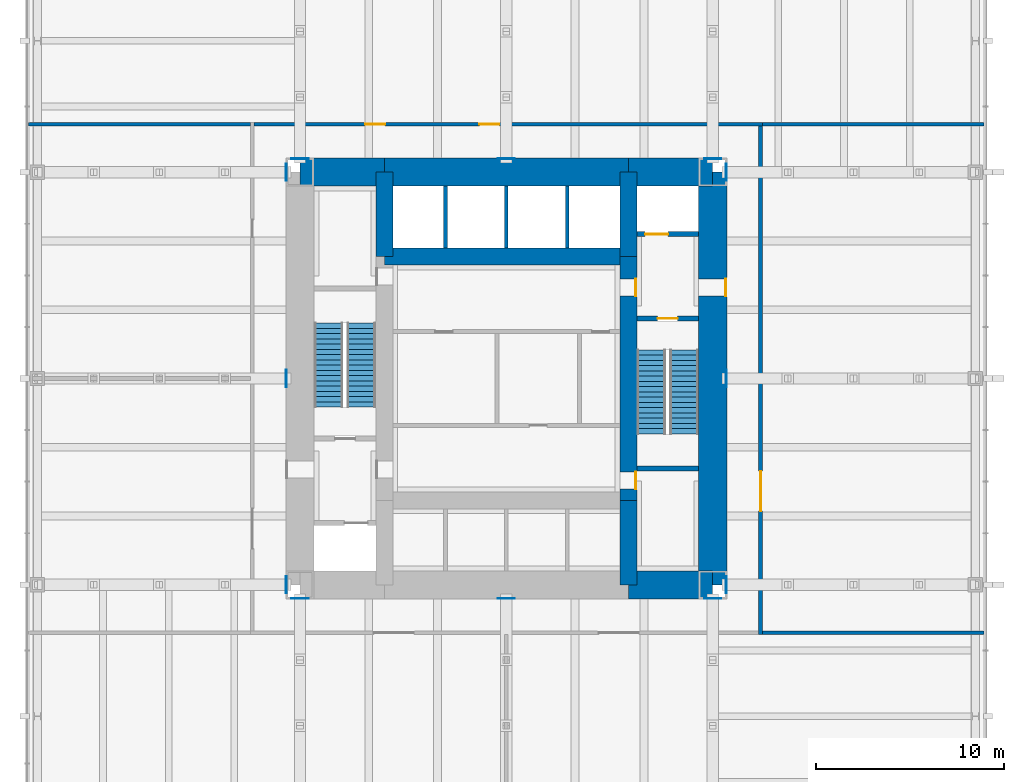
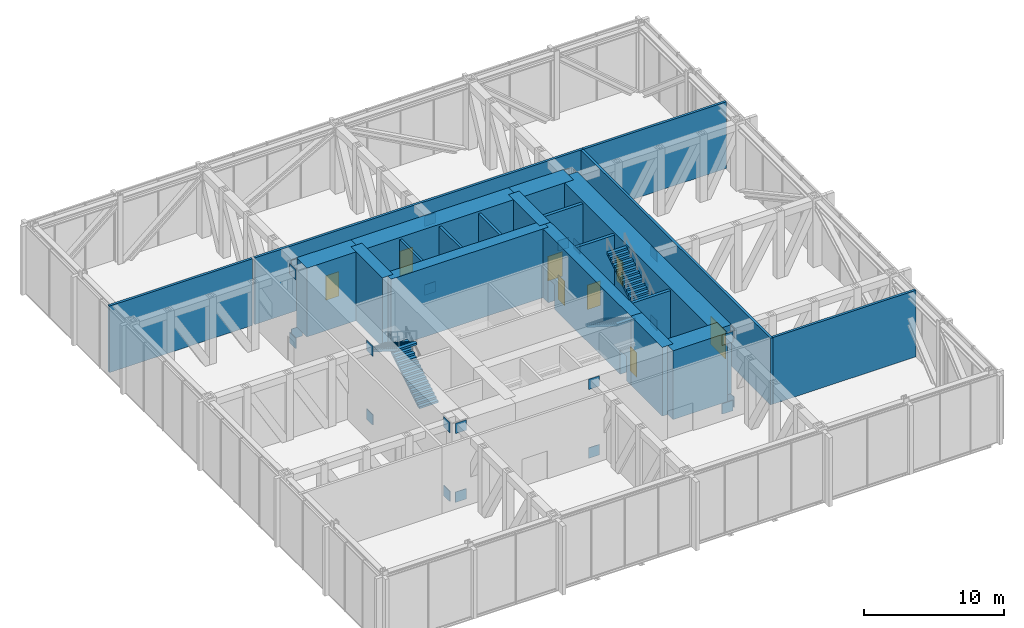
# One storey, part 12 of 13: 24 discrete accessories, 21 walls, 8 doors, 4 stair flights, 8 openings, 2 elements without a shape of their own.
"""IFC4 building model written with IfcOpenShell, lengths in metres."""

from ifc_helpers import new_model, si_unit, direction, frame, frame_2d, origin, origin_2d, place, context, subcontext, project, spatial, polyline, rectangle, outline, extrude, material, layer, layer_set, type_object, element, fill, aggregate, save


model = new_model("IFC4")

# Units and contexts
model_context = context("Model", 3, precision=1e-05, world=origin(), true_north=direction((0.0, 1.0)))
body_context = subcontext(model_context, "Body", "Model", "MODEL_VIEW")
ifc_project = project(units=[si_unit("LENGTHUNIT", "METRE"), si_unit("AREAUNIT", "SQUARE_METRE"), si_unit("VOLUMEUNIT", "CUBIC_METRE"), si_unit("PLANEANGLEUNIT", "RADIAN"), si_unit("MASSUNIT", "GRAM", prefix="KILO")], contexts=[model_context])

# Site, building, storey
site_placement = place(None, origin())
site = spatial("IfcSite", under=ifc_project, at=site_placement, CompositionType="ELEMENT")
building_placement = place(site_placement, origin())
building = spatial("IfcBuilding", under=site, at=building_placement, Name="Trevanion Tower", CompositionType="ELEMENT")
storey_placement = place(building_placement, frame((0.0, 0.0, 89.800048828125)))
storey = spatial("IfcBuildingStorey", under=building, at=storey_placement, Name="L21", CompositionType="ELEMENT", Elevation=89.800048828125)

# Wall, opening, door
ifc_material_1 = material(Name="Concrete 10,000 psi", Category="concrete")
ifc_layer_1 = layer(ifc_material_1, 1.5)
ifc_layer_set_1 = layer_set([ifc_layer_1], Name="CW1 core wall 1500")
wall_type_1 = type_object("IfcWallType", Name="CW1 core wall 1500", PredefinedType="SHEAR", material=ifc_layer_set_1)
wall_1_placement = place(storey_placement, frame((11.0, -11.0, 0.0), z_axis=(0.0, 0.0, 1.0), x_axis=(0.0, 1.0, 0.0)))
wall_1 = element("IfcWall", 1, at=wall_1_placement, inside=storey, type_object=wall_type_1, Name="CW1 CE L21", PredefinedType="SHEAR", context=body_context, shape_type="SweptSolid", body=[
    extrude(rectangle(XDim=22.0, YDim=1.5, at=frame_2d((11.0, 0.0))), origin(), (0.0, 0.0, 1.0), 6.0),
])
opening_1_placement = place(wall_1_placement, frame((15.392578125, 0.0, 0.0)))
opening_1 = element("IfcOpeningElement", 2, at=opening_1_placement, cuts=wall_1, Name="Opening 21-001", PredefinedType="OPENING", context=body_context, shape_type="SweptSolid", body=[
    extrude(rectangle(XDim=0.9150390625, YDim=2.134033203125, at=frame_2d((0.45751953125, 1.06689453125))), frame((0.0, 0.760009765625, 0.0), z_axis=(0.0, -1.0, 0.0), x_axis=(1.0, 0.0, 0.0)), (0.0, 0.0, 1.0), 1.52001953125),
])
ifc_material_2 = material(Name="Hollow metal, fire rated", Category="steel")
door_type_1 = type_object("IfcDoorType", Name="D3 fire lift lobby door", OperationType="SINGLE_SWING_RIGHT", PredefinedType="DOOR", material=ifc_material_2)
door_1_placement = place(opening_1_placement, origin())
door_1 = element("IfcDoor", 3, at=door_1_placement, inside=storey, type_object=door_type_1, Name="Door 21-001", OperationType="SINGLE_SWING_RIGHT", OverallHeight=2.134033203125, OverallWidth=0.9150390625, PredefinedType="DOOR", context=body_context, shape_type="SweptSolid", body=[
    extrude(rectangle(XDim=0.9150390625, YDim=2.134033203125, at=frame_2d((0.45751953125, 1.06689453125))), frame((0.0, -0.6748046875, 0.0), z_axis=(0.0, -1.0, 0.0), x_axis=(1.0, 0.0, 0.0)), (0.0, 0.0, 1.0), 0.050048828125),
])
fill(opening_1, door_1)

# Walls
wall_2_placement = place(storey_placement, frame((11.0, 11.0, 0.0), z_axis=(0.0, 0.0, 1.0), x_axis=(-1.0, 0.0, 0.0)))
element("IfcWall", 4, at=wall_2_placement, inside=storey, type_object=wall_type_1, Name="CW1 CN1 L21", PredefinedType="SHEAR", context=body_context, shape_type="SweptSolid", body=[
    extrude(rectangle(XDim=4.5, YDim=1.5, at=frame_2d((2.25, 0.0))), origin(), (0.0, 0.0, 1.0), 6.0),
])
wall_3_placement = place(storey_placement, frame((6.5, 11.0, 0.0), z_axis=(0.0, 0.0, 1.0), x_axis=(-1.0, 0.0, 0.0)))
element("IfcWall", 5, at=wall_3_placement, inside=storey, type_object=wall_type_1, Name="CW1 CN2 L21", PredefinedType="SHEAR", context=body_context, shape_type="SweptSolid", body=[
    extrude(rectangle(XDim=13.0, YDim=1.5, at=frame_2d((6.5, 0.0))), origin(), (0.0, 0.0, 1.0), 6.0),
])
for number, where, z_axis, x_axis, name in (
    (6, (-6.5, 11.0, 0.0), (0.0, 0.0, 1.0), (-1.0, 0.0, 0.0), "CW1 CN3 L21"),
    (7, (6.5, -11.0, 0.0), (0.0, 0.0, 1.0), (1.0, 0.0, 0.0), "CW1 CS3 L21"),
):
    element("IfcWall", number, at=place(storey_placement, frame(where, z_axis=z_axis, x_axis=x_axis)), inside=storey, type_object=wall_type_1, Name=name, PredefinedType="SHEAR", context=body_context, shape_type="SweptSolid", body=[
        extrude(rectangle(XDim=4.5, YDim=1.5, at=frame_2d((2.25, 0.0))), origin(), (0.0, 0.0, 1.0), 6.0),
    ])
ifc_material_3 = material(Name="Concrete 10,000 psi", Category="concrete")
ifc_layer_2 = layer(ifc_material_3, 0.89990234375)
ifc_layer_set_2 = layer_set([ifc_layer_2], Name="CW2 core wall 900")
wall_type_2 = type_object("IfcWallType", Name="CW2 core wall 900", PredefinedType="SHEAR", material=ifc_layer_set_2)
wall_4_placement = place(storey_placement, frame((6.5, -11.0, 0.0), z_axis=(0.0, 0.0, 1.0), x_axis=(0.0, 1.0, 0.0)))
element("IfcWall", 8, at=wall_4_placement, inside=storey, type_object=wall_type_2, Name="CW2 RE1 L21", PredefinedType="SHEAR", context=body_context, shape_type="SweptSolid", body=[
    extrude(rectangle(XDim=4.5, YDim=0.89990234375, at=frame_2d((2.25, 0.0))), origin(), (0.0, 0.0, 1.0), 6.0),
])

# Wall, openings, doors
wall_5_placement = place(storey_placement, frame((6.5, -6.5, 0.0), z_axis=(0.0, 0.0, 1.0), x_axis=(0.0, 1.0, 0.0)))
wall_5 = element("IfcWall", 9, at=wall_5_placement, inside=storey, type_object=wall_type_2, Name="CW2 RE2 L21", PredefinedType="SHEAR", context=body_context, shape_type="SweptSolid", body=[
    extrude(rectangle(XDim=13.0, YDim=0.89990234375, at=frame_2d((6.5, 0.0))), origin(), (0.0, 0.0, 1.0), 6.0),
])
opening_2_placement = place(wall_5_placement, frame((10.892578125, 0.0, 0.0)))
opening_2 = element("IfcOpeningElement", 10, at=opening_2_placement, cuts=wall_5, Name="Opening 21-003", PredefinedType="OPENING", context=body_context, shape_type="SweptSolid", body=[
    extrude(rectangle(XDim=0.9150390625, YDim=2.134033203125, at=frame_2d((0.45751953125, 1.06689453125))), frame((0.0, 0.4599609375, 0.0), z_axis=(0.0, -1.0, 0.0), x_axis=(1.0, 0.0, 0.0)), (0.0, 0.0, 1.0), 0.919921875),
])
opening_3_placement = place(wall_5_placement, frame((0.610107421875, 0.0, 0.0)))
opening_3 = element("IfcOpeningElement", 11, at=opening_3_placement, cuts=wall_5, Name="Opening 21-009", PredefinedType="OPENING", context=body_context, shape_type="SweptSolid", body=[
    extrude(rectangle(XDim=0.9150390625, YDim=2.134033203125, at=frame_2d((0.45751953125, 1.06689453125))), frame((0.0, 0.4599609375, 0.0), z_axis=(0.0, -1.0, 0.0), x_axis=(1.0, 0.0, 0.0)), (0.0, 0.0, 1.0), 0.919921875),
])
door_2_placement = place(opening_2_placement, origin())
door_2 = element("IfcDoor", 12, at=door_2_placement, inside=storey, type_object=door_type_1, Name="Door 21-003", OperationType="SINGLE_SWING_RIGHT", OverallHeight=2.134033203125, OverallWidth=0.9150390625, PredefinedType="DOOR", context=body_context, shape_type="SweptSolid", body=[
    extrude(rectangle(XDim=0.9150390625, YDim=2.134033203125, at=frame_2d((0.45751953125, 1.06689453125))), frame((0.0, -0.375, 0.0), z_axis=(0.0, -1.0, 0.0), x_axis=(1.0, 0.0, 0.0)), (0.0, 0.0, 1.0), 0.050048828125),
])
fill(opening_2, door_2)
ifc_material_4 = material(Name="Hollow metal, fire rated", Category="steel")
door_type_2 = type_object("IfcDoorType", Name="D5 service room door", OperationType="SINGLE_SWING_RIGHT", PredefinedType="DOOR", material=ifc_material_4)
door_3_placement = place(opening_3_placement, origin())
door_3 = element("IfcDoor", 13, at=door_3_placement, inside=storey, type_object=door_type_2, Name="Door 21-009", OperationType="SINGLE_SWING_RIGHT", OverallHeight=2.134033203125, OverallWidth=0.9150390625, PredefinedType="DOOR", context=body_context, shape_type="SweptSolid", body=[
    extrude(rectangle(XDim=0.9150390625, YDim=2.134033203125, at=frame_2d((0.45751953125, 1.06689453125))), frame((0.0, -0.375, 0.0), z_axis=(0.0, -1.0, 0.0), x_axis=(1.0, 0.0, 0.0)), (0.0, 0.0, 1.0), 0.050048828125),
])
fill(opening_3, door_3)

# Walls
for number, where, z_axis, x_axis, name in (
    (14, (6.5, 6.5, 0.0), (0.0, 0.0, 1.0), (0.0, 1.0, 0.0), "CW2 RE3 L21"),
    (15, (-6.5, 11.0, 0.0), (0.0, 0.0, 1.0), (0.0, -1.0, 0.0), "CW2 RW1 L21"),
):
    element("IfcWall", number, at=place(storey_placement, frame(where, z_axis=z_axis, x_axis=x_axis)), inside=storey, type_object=wall_type_2, Name=name, PredefinedType="SHEAR", context=body_context, shape_type="SweptSolid", body=[
        extrude(rectangle(XDim=4.5, YDim=0.89990234375, at=frame_2d((2.25, 0.0))), origin(), (0.0, 0.0, 1.0), 6.0),
    ])
wall_6_placement = place(storey_placement, frame((6.5, 6.5, 0.0), z_axis=(0.0, 0.0, 1.0), x_axis=(-1.0, 0.0, 0.0)))
element("IfcWall", 16, at=wall_6_placement, inside=storey, type_object=wall_type_2, Name="CW2 RN L21", PredefinedType="SHEAR", context=body_context, shape_type="SweptSolid", body=[
    extrude(rectangle(XDim=13.0, YDim=0.89990234375, at=frame_2d((6.5, 0.0))), origin(), (0.0, 0.0, 1.0), 6.0),
])
ifc_material_5 = material(Name="Concrete masonry, grouted", Category="masonry")
ifc_layer_3 = layer(ifc_material_5, 0.199951171875)
ifc_layer_set_3 = layer_set([ifc_layer_3], Name="PT2 partition 200 2 HR")
wall_type_3 = type_object("IfcWallType", Name="PT2 partition 200 2 HR", PredefinedType="PARTITIONING", material=ifc_layer_set_3)
for number, where, z_axis, x_axis, name in (
    (17, (-3.25, 6.949951171875, 0.0), (0.0, 0.0, 1.0), (0.0, 1.0, 0.0), "PT2 L21 NS0"),
    (18, (0.0, 6.949951171875, 0.0), (0.0, 0.0, 1.0), (0.0, 1.0, 0.0), "PT2 L21 NS1"),
    (19, (3.25, 6.949951171875, 0.0), (0.0, 0.0, 1.0), (0.0, 1.0, 0.0), "PT2 L21 NS2"),
):
    element("IfcWall", number, at=place(storey_placement, frame(where, z_axis=z_axis, x_axis=x_axis)), inside=storey, type_object=wall_type_3, Name=name, PredefinedType="PARTITIONING", context=body_context, shape_type="SweptSolid", body=[
        extrude(rectangle(XDim=3.300048828125, YDim=0.199951171875, at=frame_2d((1.64990234375, 0.0))), origin(), (0.0, 0.0, 1.0), 5.81005859375),
    ])

# Wall, opening, door
wall_7_placement = place(storey_placement, frame((13.550048828125, -13.64990234375, 0.0), z_axis=(0.0, 0.0, 1.0), x_axis=(0.0, 1.0, 0.0)))
wall_7 = element("IfcWall", 20, at=wall_7_placement, inside=storey, type_object=wall_type_3, Name="PT2 L21 PW0", PredefinedType="PARTITIONING", context=body_context, shape_type="SweptSolid", body=[
    extrude(rectangle(XDim=27.099853515625, YDim=0.199951171875, at=frame_2d((13.5498046875, 0.0))), origin(), (0.0, 0.0, 1.0), 5.81005859375),
])
opening_4_placement = place(wall_7_placement, frame((6.5830078125, 0.0, 0.0)))
opening_4 = element("IfcOpeningElement", 21, at=opening_4_placement, cuts=wall_7, Name="Opening 21-016", PredefinedType="OPENING", context=body_context, shape_type="SweptSolid", body=[
    extrude(rectangle(XDim=2.134033203125, YDim=2.43798828125, at=frame_2d((1.06689453125, 1.218994140625))), frame((0.0, 0.10986328125, 0.0), z_axis=(0.0, -1.0, 0.0), x_axis=(1.0, 0.0, 0.0)), (0.0, 0.0, 1.0), 0.219970703125),
])
ifc_material_6 = material(Name="Hollow metal, fire rated", Category="steel")
door_type_3 = type_object("IfcDoorType", Name="D15 plant room equipment double door", OperationType="DOUBLE_DOOR_SINGLE_SWING", PredefinedType="DOOR", material=ifc_material_6)
door_4_placement = place(opening_4_placement, origin())
door_4 = element("IfcDoor", 22, at=door_4_placement, inside=storey, type_object=door_type_3, Name="Door 21-016", OperationType="DOUBLE_DOOR_SINGLE_SWING", OverallHeight=2.43798828125, OverallWidth=2.134033203125, PredefinedType="DOOR", context=body_context, shape_type="SweptSolid", body=[
    extrude(rectangle(XDim=2.134033203125, YDim=2.43798828125, at=frame_2d((1.06689453125, 1.218994140625))), frame((0.0, 0.02490234375, 0.0), z_axis=(0.0, -1.0, 0.0), x_axis=(1.0, 0.0, 0.0)), (0.0, 0.0, 1.0), 0.050048828125),
])
fill(opening_4, door_4)

# Wall, openings, doors
wall_8_placement = place(storey_placement, frame((13.64990234375, 13.550048828125, 0.0), z_axis=(0.0, 0.0, 1.0), x_axis=(-1.0, 0.0, 0.0)))
wall_8 = element("IfcWall", 23, at=wall_8_placement, inside=storey, type_object=wall_type_3, Name="PT2 L21 PW1", PredefinedType="PARTITIONING", context=body_context, shape_type="SweptSolid", body=[
    extrude(rectangle(XDim=27.099853515625, YDim=0.199951171875, at=frame_2d((13.5498046875, 0.0))), origin(), (0.0, 0.0, 1.0), 5.81005859375),
])
opening_5_placement = place(wall_8_placement, frame((14.0166015625, 0.0, 0.0)))
opening_5 = element("IfcOpeningElement", 24, at=opening_5_placement, cuts=wall_8, Name="Opening 21-014", PredefinedType="OPENING", context=body_context, shape_type="SweptSolid", body=[
    extrude(rectangle(XDim=1.06689453125, YDim=2.134033203125, at=frame_2d((0.533447265625, 1.06689453125))), frame((0.0, 0.10986328125, 0.0), z_axis=(0.0, -1.0, 0.0), x_axis=(1.0, 0.0, 0.0)), (0.0, 0.0, 1.0), 0.219970703125),
])
opening_6_placement = place(wall_8_placement, frame((20.116455078125, 0.0, 0.0)))
opening_6 = element("IfcOpeningElement", 25, at=opening_6_placement, cuts=wall_8, Name="Opening 21-015", PredefinedType="OPENING", context=body_context, shape_type="SweptSolid", body=[
    extrude(rectangle(XDim=1.06689453125, YDim=2.134033203125, at=frame_2d((0.533447265625, 1.06689453125))), frame((0.0, 0.10986328125, 0.0), z_axis=(0.0, -1.0, 0.0), x_axis=(1.0, 0.0, 0.0)), (0.0, 0.0, 1.0), 0.219970703125),
])
ifc_material_7 = material(Name="Hollow metal, fire rated", Category="steel")
door_type_4 = type_object("IfcDoorType", Name="D2 exit stair door", OperationType="SINGLE_SWING_LEFT", PredefinedType="DOOR", material=ifc_material_7)
door_5_placement = place(opening_5_placement, origin())
door_5 = element("IfcDoor", 26, at=door_5_placement, inside=storey, type_object=door_type_4, Name="Door 21-014", OperationType="SINGLE_SWING_LEFT", OverallHeight=2.134033203125, OverallWidth=1.06689453125, PredefinedType="DOOR", context=body_context, shape_type="SweptSolid", body=[
    extrude(rectangle(XDim=1.06689453125, YDim=2.134033203125, at=frame_2d((0.533447265625, 1.06689453125))), frame((0.0, 0.02490234375, 0.0), z_axis=(0.0, -1.0, 0.0), x_axis=(1.0, 0.0, 0.0)), (0.0, 0.0, 1.0), 0.050048828125),
])
fill(opening_5, door_5)
door_6_placement = place(opening_6_placement, origin())
door_6 = element("IfcDoor", 27, at=door_6_placement, inside=storey, type_object=door_type_4, Name="Door 21-015", OperationType="SINGLE_SWING_LEFT", OverallHeight=2.134033203125, OverallWidth=1.06689453125, PredefinedType="DOOR", context=body_context, shape_type="SweptSolid", body=[
    extrude(rectangle(XDim=1.06689453125, YDim=2.134033203125, at=frame_2d((0.533447265625, 1.06689453125))), frame((0.0, 0.02490234375, 0.0), z_axis=(0.0, -1.0, 0.0), x_axis=(1.0, 0.0, 0.0)), (0.0, 0.0, 1.0), 0.050048828125),
])
fill(opening_6, door_6)

# Walls
for number, where, z_axis, x_axis, name in (
    (28, (13.64990234375, 13.550048828125, 0.0), (0.0, 0.0, 1.0), (1.0, 0.0, 0.0), "PT2 L21 PBNE"),
    (29, (-13.64990234375, 13.550048828125, 0.0), (0.0, 0.0, 1.0), (-1.0, 0.0, 0.0), "PT2 L21 PBNW"),
    (30, (13.64990234375, -13.550048828125, 0.0), (0.0, 0.0, 1.0), (1.0, 0.0, 0.0), "PT2 L21 PBSE"),
):
    element("IfcWall", number, at=place(storey_placement, frame(where, z_axis=z_axis, x_axis=x_axis)), inside=storey, type_object=wall_type_3, Name=name, PredefinedType="PARTITIONING", context=body_context, shape_type="SweptSolid", body=[
        extrude(rectangle(XDim=11.815185546875, YDim=0.199951171875, at=frame_2d((5.90771484375, 0.0))), origin(), (0.0, 0.0, 1.0), 5.81005859375),
    ])

# Wall, opening, door
ifc_material_8 = material(Name="Concrete masonry, grouted, two-hour", Category="masonry")
ifc_layer_4 = layer(ifc_material_8, 0.25)
ifc_layer_set_4 = layer_set([ifc_layer_4], Name="PT3 partition 250 2 HR")
wall_type_4 = type_object("IfcWallType", Name="PT3 partition 250 2 HR", PredefinedType="PARTITIONING", material=ifc_layer_set_4)
wall_9_placement = place(storey_placement, frame((6.949951171875, 7.699951171875, 0.0), z_axis=(0.0, 0.0, 1.0), x_axis=(1.0, 0.0, 0.0)))
wall_9 = element("IfcWall", 31, at=wall_9_placement, inside=storey, type_object=wall_type_4, Name="PT3 L21 EP3", PredefinedType="PARTITIONING", context=body_context, shape_type="SweptSolid", body=[
    extrude(rectangle(XDim=3.300048828125, YDim=0.25, at=frame_2d((1.64990234375, 0.0))), origin(), (0.0, 0.0, 1.0), 5.81005859375),
])
opening_7_placement = place(wall_9_placement, frame((0.449951171875, 0.0, 0.0)))
opening_7 = element("IfcOpeningElement", 32, at=opening_7_placement, cuts=wall_9, Name="Opening 21-007", PredefinedType="OPENING", context=body_context, shape_type="SweptSolid", body=[
    extrude(rectangle(XDim=1.218994140625, YDim=2.134033203125, at=frame_2d((0.609375, 1.06689453125))), frame((0.0, 0.135009765625, 0.0), z_axis=(0.0, -1.0, 0.0), x_axis=(1.0, 0.0, 0.0)), (0.0, 0.0, 1.0), 0.27001953125),
])
ifc_material_9 = material(Name="Stainless steel, fire rated", Category="steel")
door_type_5 = type_object("IfcDoorType", Name="LD2 fire service lift landing door", OperationType="SLIDING_TO_LEFT", PredefinedType="DOOR", material=ifc_material_9)
door_7_placement = place(opening_7_placement, origin())
door_7 = element("IfcDoor", 33, at=door_7_placement, inside=storey, type_object=door_type_5, Name="Door 21-007", OperationType="SLIDING_TO_LEFT", OverallHeight=2.134033203125, OverallWidth=1.218994140625, PredefinedType="DOOR", context=body_context, shape_type="SweptSolid", body=[
    extrude(rectangle(XDim=1.218994140625, YDim=2.134033203125, at=frame_2d((0.609375, 1.06689453125))), frame((0.0, 0.02490234375, 0.0), z_axis=(0.0, -1.0, 0.0), x_axis=(1.0, 0.0, 0.0)), (0.0, 0.0, 1.0), 0.050048828125),
])
fill(opening_7, door_7)

# Wall
ifc_material_10 = material(Name="Reinforced masonry, fully grouted", Category="masonry")
ifc_layer_5 = layer(ifc_material_10, 0.25)
ifc_layer_set_5 = layer_set([ifc_layer_5], Name="SW1 stair shaft wall 250")
wall_type_5 = type_object("IfcWallType", Name="SW1 stair shaft wall 250", PredefinedType="SOLIDWALL", material=ifc_layer_set_5)
wall_10_placement = place(storey_placement, frame((6.949951171875, -4.800048828125, 0.0), z_axis=(0.0, 0.0, 1.0), x_axis=(1.0, 0.0, 0.0)))
element("IfcWall", 34, at=wall_10_placement, inside=storey, type_object=wall_type_5, Name="SW1 L21 EP1", PredefinedType="SOLIDWALL", context=body_context, shape_type="SweptSolid", body=[
    extrude(rectangle(XDim=3.300048828125, YDim=0.25, at=frame_2d((1.64990234375, 0.0))), origin(), (0.0, 0.0, 1.0), 5.81005859375),
])

# Wall, opening, door
wall_11_placement = place(storey_placement, frame((6.949951171875, 3.199951171875, 0.0), z_axis=(0.0, 0.0, 1.0), x_axis=(1.0, 0.0, 0.0)))
wall_11 = element("IfcWall", 35, at=wall_11_placement, inside=storey, type_object=wall_type_5, Name="SW1 L21 EP2", PredefinedType="SOLIDWALL", context=body_context, shape_type="SweptSolid", body=[
    extrude(rectangle(XDim=3.300048828125, YDim=0.25, at=frame_2d((1.64990234375, 0.0))), origin(), (0.0, 0.0, 1.0), 5.81005859375),
])
opening_8_placement = place(wall_11_placement, frame((1.116455078125, 0.0, 0.0)))
opening_8 = element("IfcOpeningElement", 36, at=opening_8_placement, cuts=wall_11, Name="Opening 21-005", PredefinedType="OPENING", context=body_context, shape_type="SweptSolid", body=[
    extrude(rectangle(XDim=1.06689453125, YDim=2.134033203125, at=frame_2d((0.533447265625, 1.06689453125))), frame((0.0, 0.135009765625, 0.0), z_axis=(0.0, -1.0, 0.0), x_axis=(1.0, 0.0, 0.0)), (0.0, 0.0, 1.0), 0.27001953125),
])
door_8_placement = place(opening_8_placement, origin())
door_8 = element("IfcDoor", 37, at=door_8_placement, inside=storey, type_object=door_type_4, Name="Door 21-005", OperationType="SINGLE_SWING_LEFT", OverallHeight=2.134033203125, OverallWidth=1.06689453125, PredefinedType="DOOR", context=body_context, shape_type="SweptSolid", body=[
    extrude(rectangle(XDim=1.06689453125, YDim=2.134033203125, at=frame_2d((0.533447265625, 1.06689453125))), frame((0.0, 0.02490234375, 0.0), z_axis=(0.0, -1.0, 0.0), x_axis=(1.0, 0.0, 0.0)), (0.0, 0.0, 1.0), 0.050048828125),
])
fill(opening_8, door_8)

# Stair, stair flights
ifc_material_11 = material(Name="Concrete 5,000 psi on steel stringers", Category="concrete")
stair_type = type_object("IfcStairType", Name="ST stair", PredefinedType="HALF_TURN_STAIR", material=ifc_material_11)
stair_1_placement = place(storey_placement, origin())
stair_1 = element("IfcStair", 38, at=stair_1_placement, inside=storey, type_object=stair_type, Name="ST1 L21", PredefinedType="HALF_TURN_STAIR")
ifc_material_12 = material(Name="Concrete 5,000 psi in steel pan", Category="concrete")
stair_flight_type = type_object("IfcStairFlightType", Name="STF stair flight", PredefinedType="STRAIGHT", material=ifc_material_12)
stair_flight_1_placement = place(storey_placement, frame((7.72509765625, 1.52490234375, 0.0), z_axis=(0.0, 0.0, 1.0), x_axis=(0.0, -1.0, 0.0)))
stair_flight_1 = element("IfcStairFlight", 39, at=stair_flight_1_placement, type_object=stair_flight_type, Name="ST1 flight 1", NumberOfRisers=17, NumberOfTreads=16, PredefinedType="STRAIGHT", RiserHeight=0.176470588, TreadLength=0.28, context=body_context, shape_type="SweptSolid", body=[
    extrude(outline(polyline([(0.0, 0.0), (0.0, 0.176513671875), (0.280029296875, 0.176513671875), (0.280029296875, 0.35302734375), (0.56005859375, 0.35302734375), (0.56005859375, 0.529296875), (0.840087890625, 0.529296875), (0.840087890625, 0.705810546875), (1.1201171875, 0.705810546875), (1.1201171875, 0.88232421875), (1.39990234375, 0.88232421875), (1.39990234375, 1.058837890625), (1.679931640625, 1.058837890625), (1.679931640625, 1.2353515625), (1.9599609375, 1.2353515625), (1.9599609375, 1.411865234375), (2.239990234375, 1.411865234375), (2.239990234375, 1.588134765625), (2.52001953125, 1.588134765625), (2.52001953125, 1.7646484375), (2.800048828125, 1.7646484375), (2.800048828125, 1.941162109375), (3.080078125, 1.941162109375), (3.080078125, 2.11767578125), (3.360107421875, 2.11767578125), (3.360107421875, 2.294189453125), (3.639892578125, 2.294189453125), (3.639892578125, 2.470703125), (3.919921875, 2.470703125), (3.919921875, 2.64697265625), (4.199951171875, 2.64697265625), (4.199951171875, 2.823486328125), (4.47998046875, 2.823486328125), (4.47998046875, 3.0), (4.47998046875, 2.646240234375), (0.28125, 0.0), (0.0, 0.0)])), frame((0.0, 0.77490234375, 0.0), z_axis=(0.0, -1.0, 0.0), x_axis=(1.0, 0.0, 0.0)), (0.0, 0.0, 1.0), 1.550048828125),
])
stair_flight_2_placement = place(storey_placement, frame((9.47509765625, -2.955078125, 3.0), z_axis=(0.0, 0.0, 1.0), x_axis=(0.0, 1.0, 0.0)))
stair_flight_2 = element("IfcStairFlight", 40, at=stair_flight_2_placement, type_object=stair_flight_type, Name="ST1 flight 2", NumberOfRisers=17, NumberOfTreads=16, PredefinedType="STRAIGHT", RiserHeight=0.176470588, TreadLength=0.28, context=body_context, shape_type="SweptSolid", body=[
    extrude(outline(polyline([(0.0, 0.0), (0.0, 0.176513671875), (0.280029296875, 0.176513671875), (0.280029296875, 0.35302734375), (0.56005859375, 0.35302734375), (0.56005859375, 0.529296875), (0.840087890625, 0.529296875), (0.840087890625, 0.705810546875), (1.1201171875, 0.705810546875), (1.1201171875, 0.88232421875), (1.39990234375, 0.88232421875), (1.39990234375, 1.058837890625), (1.679931640625, 1.058837890625), (1.679931640625, 1.2353515625), (1.9599609375, 1.2353515625), (1.9599609375, 1.411865234375), (2.239990234375, 1.411865234375), (2.239990234375, 1.588134765625), (2.52001953125, 1.588134765625), (2.52001953125, 1.7646484375), (2.800048828125, 1.7646484375), (2.800048828125, 1.941162109375), (3.080078125, 1.941162109375), (3.080078125, 2.11767578125), (3.360107421875, 2.11767578125), (3.360107421875, 2.294189453125), (3.639892578125, 2.294189453125), (3.639892578125, 2.470703125), (3.919921875, 2.470703125), (3.919921875, 2.64697265625), (4.199951171875, 2.64697265625), (4.199951171875, 2.823486328125), (4.47998046875, 2.823486328125), (4.47998046875, 3.0), (4.47998046875, 2.646240234375), (0.28125, 0.0), (0.0, 0.0)])), frame((0.0, 0.77490234375, 0.0), z_axis=(0.0, -1.0, 0.0), x_axis=(1.0, 0.0, 0.0)), (0.0, 0.0, 1.0), 1.550048828125),
])
aggregate(stair_1, [stair_flight_1, stair_flight_2])

stair_2_placement = place(storey_placement, origin())
stair_2 = element("IfcStair", 41, at=stair_2_placement, inside=storey, type_object=stair_type, Name="ST2 L21", PredefinedType="HALF_TURN_STAIR")
stair_flight_3_placement = place(storey_placement, frame((-7.72509765625, -1.52490234375, 0.0), z_axis=(0.0, 0.0, 1.0), x_axis=(0.0, 1.0, 0.0)))
stair_flight_3 = element("IfcStairFlight", 42, at=stair_flight_3_placement, type_object=stair_flight_type, Name="ST2 flight 1", NumberOfRisers=17, NumberOfTreads=16, PredefinedType="STRAIGHT", RiserHeight=0.176470588, TreadLength=0.28, context=body_context, shape_type="SweptSolid", body=[
    extrude(outline(polyline([(0.0, 0.0), (0.0, 0.176513671875), (0.280029296875, 0.176513671875), (0.280029296875, 0.35302734375), (0.56005859375, 0.35302734375), (0.56005859375, 0.529296875), (0.840087890625, 0.529296875), (0.840087890625, 0.705810546875), (1.1201171875, 0.705810546875), (1.1201171875, 0.88232421875), (1.39990234375, 0.88232421875), (1.39990234375, 1.058837890625), (1.679931640625, 1.058837890625), (1.679931640625, 1.2353515625), (1.9599609375, 1.2353515625), (1.9599609375, 1.411865234375), (2.239990234375, 1.411865234375), (2.239990234375, 1.588134765625), (2.52001953125, 1.588134765625), (2.52001953125, 1.7646484375), (2.800048828125, 1.7646484375), (2.800048828125, 1.941162109375), (3.080078125, 1.941162109375), (3.080078125, 2.11767578125), (3.360107421875, 2.11767578125), (3.360107421875, 2.294189453125), (3.639892578125, 2.294189453125), (3.639892578125, 2.470703125), (3.919921875, 2.470703125), (3.919921875, 2.64697265625), (4.199951171875, 2.64697265625), (4.199951171875, 2.823486328125), (4.47998046875, 2.823486328125), (4.47998046875, 3.0), (4.47998046875, 2.646240234375), (0.28125, 0.0), (0.0, 0.0)])), frame((0.0, 0.77490234375, 0.0), z_axis=(0.0, -1.0, 0.0), x_axis=(1.0, 0.0, 0.0)), (0.0, 0.0, 1.0), 1.550048828125),
])
stair_flight_4_placement = place(storey_placement, frame((-9.47509765625, 2.955078125, 3.0), z_axis=(0.0, 0.0, 1.0), x_axis=(0.0, -1.0, 0.0)))
stair_flight_4 = element("IfcStairFlight", 43, at=stair_flight_4_placement, type_object=stair_flight_type, Name="ST2 flight 2", NumberOfRisers=17, NumberOfTreads=16, PredefinedType="STRAIGHT", RiserHeight=0.176470588, TreadLength=0.28, context=body_context, shape_type="SweptSolid", body=[
    extrude(outline(polyline([(0.0, 0.0), (0.0, 0.176513671875), (0.280029296875, 0.176513671875), (0.280029296875, 0.35302734375), (0.56005859375, 0.35302734375), (0.56005859375, 0.529296875), (0.840087890625, 0.529296875), (0.840087890625, 0.705810546875), (1.1201171875, 0.705810546875), (1.1201171875, 0.88232421875), (1.39990234375, 0.88232421875), (1.39990234375, 1.058837890625), (1.679931640625, 1.058837890625), (1.679931640625, 1.2353515625), (1.9599609375, 1.2353515625), (1.9599609375, 1.411865234375), (2.239990234375, 1.411865234375), (2.239990234375, 1.588134765625), (2.52001953125, 1.588134765625), (2.52001953125, 1.7646484375), (2.800048828125, 1.7646484375), (2.800048828125, 1.941162109375), (3.080078125, 1.941162109375), (3.080078125, 2.11767578125), (3.360107421875, 2.11767578125), (3.360107421875, 2.294189453125), (3.639892578125, 2.294189453125), (3.639892578125, 2.470703125), (3.919921875, 2.470703125), (3.919921875, 2.64697265625), (4.199951171875, 2.64697265625), (4.199951171875, 2.823486328125), (4.47998046875, 2.823486328125), (4.47998046875, 3.0), (4.47998046875, 2.646240234375), (0.28125, 0.0), (0.0, 0.0)])), frame((0.0, 0.77490234375, 0.0), z_axis=(0.0, -1.0, 0.0), x_axis=(1.0, 0.0, 0.0)), (0.0, 0.0, 1.0), 1.550048828125),
])
aggregate(stair_2, [stair_flight_3, stair_flight_4])

# Discrete accessories
ifc_material_13 = material(Name="Steel ASTM A572 Grade 50", Category="steel")
discrete_accessory_type = type_object("IfcDiscreteAccessoryType", Name="OT1 cast-in plate 50", PredefinedType="ANCHORPLATE", material=ifc_material_13)
for number, where, z_axis, x_axis, name in (
    (44, (11.72509765625, -11.0, -0.94970703125), (0.0, 0.0, 1.0), (1.0, 0.0, 0.0), "OT1 17/F cast-in plate in the core wall, bottom chord node"),
    (45, (11.72509765625, -11.0, 5.05029296875), (0.0, 0.0, 1.0), (1.0, 0.0, 0.0), "OT1 17/F cast-in plate in the core wall, top chord node"),
    (46, (11.0, 11.72509765625, -0.94970703125), (0.0, 0.0, 1.0), (0.0, 1.0, 0.0), "OT1 12/Q cast-in plate in the core wall, bottom chord node"),
    (47, (11.0, 11.72509765625, 5.05029296875), (0.0, 0.0, 1.0), (0.0, 1.0, 0.0), "OT1 12/Q cast-in plate in the core wall, top chord node"),
    (48, (-11.72509765625, 11.0, -0.94970703125), (0.0, 0.0, 1.0), (-1.0, 0.0, 0.0), "OT1 3/K cast-in plate in the core wall, bottom chord node"),
    (49, (-11.72509765625, 11.0, 5.05029296875), (0.0, 0.0, 1.0), (-1.0, 0.0, 0.0), "OT1 3/K cast-in plate in the core wall, top chord node"),
    (50, (-11.0, -11.72509765625, -0.94970703125), (0.0, 0.0, 1.0), (0.0, -1.0, 0.0), "OT1 8/A cast-in plate in the core wall, bottom chord node"),
    (51, (-11.0, -11.72509765625, 5.05029296875), (0.0, 0.0, 1.0), (0.0, -1.0, 0.0), "OT1 8/A cast-in plate in the core wall, top chord node"),
    (52, (11.72509765625, 0.0, -0.94970703125), (0.0, 0.0, 1.0), (1.0, 0.0, 0.0), "OT1 17/H cast-in plate in the core wall, bottom chord node"),
    (53, (11.72509765625, 0.0, 5.05029296875), (0.0, 0.0, 1.0), (1.0, 0.0, 0.0), "OT1 17/H cast-in plate in the core wall, top chord node"),
    (54, (0.0, 11.72509765625, -0.94970703125), (0.0, 0.0, 1.0), (0.0, 1.0, 0.0), "OT1 10/Q cast-in plate in the core wall, bottom chord node"),
    (55, (0.0, 11.72509765625, 5.05029296875), (0.0, 0.0, 1.0), (0.0, 1.0, 0.0), "OT1 10/Q cast-in plate in the core wall, top chord node"),
    (56, (-11.72509765625, 0.0, -0.94970703125), (0.0, 0.0, 1.0), (-1.0, 0.0, 0.0), "OT1 3/H cast-in plate in the core wall, bottom chord node"),
    (57, (-11.72509765625, 0.0, 5.05029296875), (0.0, 0.0, 1.0), (-1.0, 0.0, 0.0), "OT1 3/H cast-in plate in the core wall, top chord node"),
    (58, (0.0, -11.72509765625, -0.94970703125), (0.0, 0.0, 1.0), (0.0, -1.0, 0.0), "OT1 10/A cast-in plate in the core wall, bottom chord node"),
    (59, (0.0, -11.72509765625, 5.05029296875), (0.0, 0.0, 1.0), (0.0, -1.0, 0.0), "OT1 10/A cast-in plate in the core wall, top chord node"),
    (60, (11.72509765625, 11.0, -0.94970703125), (0.0, 0.0, 1.0), (1.0, 0.0, 0.0), "OT1 17/K cast-in plate in the core wall, bottom chord node"),
    (61, (11.72509765625, 11.0, 5.05029296875), (0.0, 0.0, 1.0), (1.0, 0.0, 0.0), "OT1 17/K cast-in plate in the core wall, top chord node"),
    (62, (-11.0, 11.72509765625, -0.94970703125), (0.0, 0.0, 1.0), (0.0, 1.0, 0.0), "OT1 8/Q cast-in plate in the core wall, bottom chord node"),
    (63, (-11.0, 11.72509765625, 5.05029296875), (0.0, 0.0, 1.0), (0.0, 1.0, 0.0), "OT1 8/Q cast-in plate in the core wall, top chord node"),
    (64, (-11.72509765625, -11.0, -0.94970703125), (0.0, 0.0, 1.0), (-1.0, 0.0, 0.0), "OT1 3/F cast-in plate in the core wall, bottom chord node"),
    (65, (-11.72509765625, -11.0, 5.05029296875), (0.0, 0.0, 1.0), (-1.0, 0.0, 0.0), "OT1 3/F cast-in plate in the core wall, top chord node"),
    (66, (11.0, -11.72509765625, -0.94970703125), (0.0, 0.0, 1.0), (0.0, -1.0, 0.0), "OT1 12/A cast-in plate in the core wall, bottom chord node"),
    (67, (11.0, -11.72509765625, 5.05029296875), (0.0, 0.0, 1.0), (0.0, -1.0, 0.0), "OT1 12/A cast-in plate in the core wall, top chord node"),
):
    element("IfcDiscreteAccessory", number, at=place(storey_placement, frame(where, z_axis=z_axis, x_axis=x_axis)), inside=storey, type_object=discrete_accessory_type, Name=name, PredefinedType="ANCHORPLATE", context=body_context, shape_type="SweptSolid", body=[
        extrude(rectangle(XDim=0.050048828125, YDim=0.90966796875, at=origin_2d()), origin(), (0.0, 0.0, 1.0), 0.90966796875),
    ])

save(model, "model.ifc")
